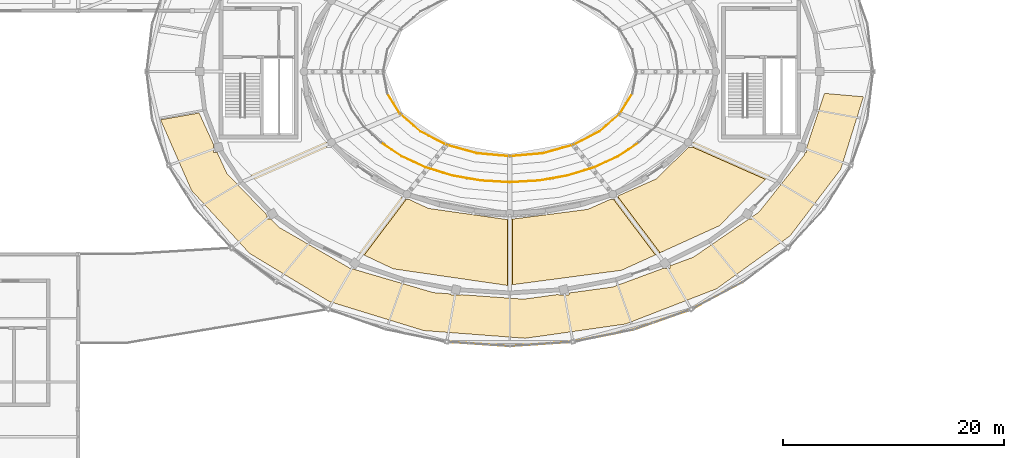
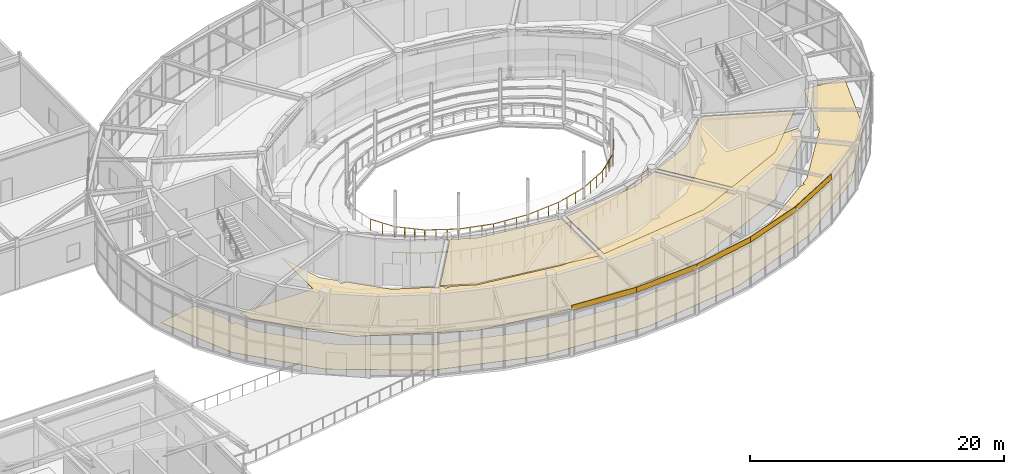
# One storey, part 100 of 108: 20 railings, 10 coverings.
"""IFC4 building model written with IfcOpenShell, lengths in metres."""

from ifc_helpers import new_model, si_unit, direction, frame, frame_2d, origin, origin_2d, place, context, subcontext, project, spatial, polyline, rectangle, circle, outline, extrude, material, layer, layer_set, type_object, element, save


model = new_model("IFC4")

# Units and contexts
model_context = context("Model", 3, precision=1e-05, world=origin(), true_north=direction((0.0, 1.0)))
body_context = subcontext(model_context, "Body", "Model", "MODEL_VIEW")
ifc_project = project(units=[si_unit("LENGTHUNIT", "METRE"), si_unit("AREAUNIT", "SQUARE_METRE"), si_unit("VOLUMEUNIT", "CUBIC_METRE"), si_unit("PLANEANGLEUNIT", "RADIAN"), si_unit("MASSUNIT", "GRAM", prefix="KILO")], contexts=[model_context])

# Site, building, storey
site_placement = place(None, origin())
site = spatial("IfcSite", under=ifc_project, at=site_placement, CompositionType="ELEMENT")
building_placement = place(site_placement, origin())
building = spatial("IfcBuilding", under=site, at=building_placement, Name="Tarnveldt Headland Concert Hall", CompositionType="ELEMENT")
storey_placement = place(building_placement, frame((0.0, 0.0, 9.60009765625)))
storey = spatial("IfcBuildingStorey", under=building, at=storey_placement, Name="L02", CompositionType="ELEMENT", Elevation=9.60009765625)

# Coverings
ifc_material_1 = material(Name="Micro-perforated mvule acoustic ceiling panel", Category="timber")
ifc_layer_1 = layer(ifc_material_1, 0.050048828125, Name="Micro-perforated mvule acoustic ceiling panel", Category="timber")
ifc_layer_set_1 = layer_set([ifc_layer_1], Name="Micro-perforated mvule acoustic ceiling panel")
covering_type_1 = type_object("IfcCoveringType", Name="CV-CEIL50", PredefinedType="CEILING", material=ifc_layer_set_1)
covering_1_placement = place(storey_placement, frame((0.0, 0.0, 4.5)))
element("IfcCovering", 1, at=covering_1_placement, inside=storey, type_object=covering_type_1, Name="Acoustic mvule ceiling L02-09-247", PredefinedType="CEILING", context=body_context, shape_type="SweptSolid", body=[
    extrude(outline(polyline([(76.165283203125, 42.1376953125), (83.27001953125, 41.127685546875), (83.27001953125, 35.18359375), (83.260986328125, 35.182373046875), (72.973388671875, 36.675048828125), (70.344482421875, 37.91748046875), (74.148681640625, 42.96484375), (74.36083984375, 42.96484375), (76.114990234375, 42.152587890625), (76.13134765625, 42.14599609375), (76.148193359375, 42.140869140625), (76.165283203125, 42.1376953125)])), origin(), (0.0, 0.0, 1.0), 0.0498046875),
])
covering_2_placement = place(storey_placement, frame((0.0, 0.0, 4.5)))
element("IfcCovering", 2, at=covering_2_placement, inside=storey, type_object=covering_type_1, Name="Acoustic mvule ceiling L02-09-248", PredefinedType="CEILING", context=body_context, shape_type="SweptSolid", body=[
    extrude(outline(polyline([(90.575439453125, 42.064697265625), (92.5947265625, 42.96484375), (92.851318359375, 42.96484375), (96.640380859375, 37.93798828125), (93.58447265625, 36.54736328125), (83.72998046875, 35.244384765625), (83.72998046875, 41.17041015625), (90.525146484375, 42.050537109375), (90.54248046875, 42.0537109375), (90.55908203125, 42.058349609375), (90.575439453125, 42.064697265625)])), origin(), (0.0, 0.0, 1.0), 0.0498046875),
])
covering_3_placement = place(storey_placement, frame((0.0, 0.0, 4.5)))
element("IfcCovering", 3, at=covering_3_placement, inside=storey, type_object=covering_type_1, Name="Acoustic mvule ceiling L02-09-249", PredefinedType="CEILING", context=body_context, shape_type="SweptSolid", body=[
    extrude(outline(polyline([(96.726318359375, 44.8076171875), (96.739990234375, 44.816162109375), (96.7529296875, 44.82568359375), (96.764892578125, 44.836669921875), (99.620361328125, 47.64990234375), (100.056884765625, 47.64990234375), (106.586669921875, 44.762451171875), (102.412109375, 40.564208984375), (97.069091796875, 38.133056640625), (93.25, 43.2001953125), (93.25, 43.257080078125), (96.7119140625, 44.80029296875), (96.726318359375, 44.8076171875)])), origin(), (0.0, 0.0, 1.0), 0.0498046875),
])
ifc_material_2 = material(Name="Treated East African mvule hardwood", Category="wood")
ifc_layer_2 = layer(ifc_material_2, 0.044921875, Name="Treated East African mvule hardwood", Category="wood")
ifc_layer_set_2 = layer_set([ifc_layer_2], Name="Treated East African mvule hardwood")
covering_type_2 = type_object("IfcCoveringType", Name="CV-CLAD45", PredefinedType="CLADDING", material=ifc_layer_set_2)
for number, where, z_axis, x_axis, name in (
    (4, (77.80419921875, 30.076904296875, 4.27001953125), (0.0, 0.0, 1.0), (0.997817213059, -0.066036424216, 0.0), "Mvule hardwood fascia band L02-27"),
    (5, (83.5, 29.699951171875, 4.27001953125), (0.0, 0.0, 1.0), (0.997817213059, 0.066036424216, 0.0), "Mvule hardwood fascia band L02-28"),
):
    element("IfcCovering", number, at=place(storey_placement, frame(where, z_axis=z_axis, x_axis=x_axis)), inside=storey, type_object=covering_type_2, Name=name, PredefinedType="CLADDING", context=body_context, shape_type="SweptSolid", body=[
        extrude(rectangle(XDim=5.708251953125, YDim=0.044921875, at=frame_2d((2.85400390625, 0.0))), origin(), (0.0, 0.0, 1.0), 0.519775390625),
    ])
covering_4_placement = place(storey_placement, frame((89.19580078125, 30.076904296875, 4.27001953125), z_axis=(0.0, 0.0, 1.0), x_axis=(0.980094417088, 0.198531946026, 0.0)))
element("IfcCovering", 6, at=covering_4_placement, inside=storey, type_object=covering_type_2, Name="Mvule hardwood fascia band L02-29", PredefinedType="CLADDING", context=body_context, shape_type="SweptSolid", body=[
    extrude(rectangle(XDim=5.634521484375, YDim=0.044921875, at=frame_2d((2.8173828125, 0.0))), origin(), (0.0, 0.0, 1.0), 0.519775390625),
])
covering_5_placement = place(storey_placement, frame((94.71826171875, 31.195556640625, 4.27001953125), z_axis=(0.0, 0.0, 1.0), x_axis=(0.943085453999, 0.332550487077, 0.0)))
element("IfcCovering", 7, at=covering_5_placement, inside=storey, type_object=covering_type_2, Name="Mvule hardwood fascia band L02-30", PredefinedType="CLADDING", context=body_context, shape_type="SweptSolid", body=[
    extrude(rectangle(XDim=5.494384765625, YDim=0.044921875, at=frame_2d((2.7470703125, 0.0))), origin(), (0.0, 0.0, 1.0), 0.519775390625),
])
covering_6_placement = place(storey_placement, frame((99.89990234375, 33.022705078125, 4.27001953125), z_axis=(0.0, 0.0, 1.0), x_axis=(0.88379239872, 0.467879253617, 0.0)))
element("IfcCovering", 8, at=covering_6_placement, inside=storey, type_object=covering_type_2, Name="Mvule hardwood fascia band L02-31", PredefinedType="CLADDING", context=body_context, shape_type="SweptSolid", body=[
    extrude(rectangle(XDim=5.29931640625, YDim=0.044921875, at=frame_2d((2.649658203125, 0.0))), origin(), (0.0, 0.0, 1.0), 0.519775390625),
])
ifc_material_3 = material(Name="Polished coral-aggregate cementitious terrazzo flooring", Category="concrete")
ifc_layer_3 = layer(ifc_material_3, 0.034912109375, Name="Polished coral-aggregate cementitious terrazzo flooring", Category="concrete")
ifc_layer_set_3 = layer_set([ifc_layer_3], Name="Polished coral-aggregate cementitious terrazzo flooring")
covering_type_3 = type_object("IfcCoveringType", Name="CV-FLOR35", PredefinedType="FLOORING", material=ifc_layer_set_3)
covering_7_placement = place(storey_placement, origin())
element("IfcCovering", 9, at=covering_7_placement, inside=storey, type_object=covering_type_3, Name="Architectural flooring L02-09-68", PredefinedType="FLOORING", context=body_context, shape_type="SweptSolid", body=[
    extrude(outline(polyline([(65.886474609375, 49.202880859375), (65.89794921875, 49.190185546875), (66.94189453125, 48.122314453125), (66.94189453125, 47.64990234375), (67.40380859375, 47.64990234375), (69.9951171875, 44.999755859375), (70.0068359375, 44.988525390625), (70.019775390625, 44.978515625), (70.03369140625, 44.9697265625), (70.048095703125, 44.96240234375), (73.75, 43.247802734375), (73.75, 42.96484375), (74.36083984375, 42.96484375), (76.114990234375, 42.152587890625), (76.13134765625, 42.14599609375), (76.148193359375, 42.140869140625), (76.165283203125, 42.1376953125), (83.308837890625, 41.122314453125), (83.324951171875, 41.12060546875), (83.34130859375, 41.12060546875), (83.357421875, 41.1220703125), (90.525146484375, 42.050537109375), (90.54248046875, 42.0537109375), (90.55908203125, 42.058349609375), (90.575439453125, 42.064697265625), (92.5947265625, 42.96484375), (93.25, 42.96484375), (93.25, 43.257080078125), (96.7119140625, 44.80029296875), (96.726318359375, 44.8076171875), (96.739990234375, 44.816162109375), (96.7529296875, 44.82568359375), (96.764892578125, 44.836669921875), (99.620361328125, 47.64990234375), (100.05810546875, 47.64990234375), (100.05810546875, 48.081298828125), (100.966796875, 48.9765625), (100.978271484375, 48.989013671875), (100.988525390625, 49.00244140625), (100.99755859375, 49.016845703125), (101.005126953125, 49.031982421875), (101.01123046875, 49.0478515625), (102.320068359375, 52.966796875), (102.320068359375, 48.300048828125), (102.32080078125, 48.282470703125), (102.323486328125, 48.264892578125), (102.327880859375, 48.247802734375), (102.333740234375, 48.231201171875), (102.34130859375, 48.215087890625), (102.350341796875, 48.199951171875), (102.36083984375, 48.185791015625), (102.372802734375, 48.172607421875), (102.3857421875, 48.160888671875), (102.39990234375, 48.150390625), (102.4150390625, 48.141357421875), (102.43115234375, 48.1337890625), (102.44775390625, 48.127685546875), (102.46484375, 48.12353515625), (102.482421875, 48.120849609375), (102.5, 48.1201171875), (108.928955078125, 48.1201171875), (108.440185546875, 46.62646484375), (102.412109375, 40.564208984375), (93.58447265625, 36.54736328125), (83.260986328125, 35.182373046875), (72.973388671875, 36.675048828125), (64.24658203125, 40.7998046875), (58.369384765625, 46.934814453125), (58.01220703125, 48.1201171875), (64.5, 48.1201171875), (64.517578125, 48.120849609375), (64.53515625, 48.12353515625), (64.55224609375, 48.127685546875), (64.56884765625, 48.1337890625), (64.5849609375, 48.141357421875), (64.60009765625, 48.150390625), (64.6142578125, 48.160888671875), (64.627197265625, 48.172607421875), (64.63916015625, 48.185791015625), (64.649658203125, 48.199951171875), (64.65869140625, 48.215087890625), (64.666259765625, 48.231201171875), (64.672119140625, 48.247802734375), (64.676513671875, 48.264892578125), (64.67919921875, 48.282470703125), (64.679931640625, 48.300048828125), (64.679931640625, 53.08154296875), (65.8544921875, 49.262939453125), (65.8603515625, 49.246826171875), (65.86767578125, 49.2314453125), (65.87646484375, 49.216796875), (65.886474609375, 49.202880859375)])), origin(), (0.0, 0.0, 1.0), 0.034912109375),
])
covering_8_placement = place(storey_placement, origin())
element("IfcCovering", 10, at=covering_8_placement, inside=storey, type_object=covering_type_3, Name="Architectural flooring L02-11-70", PredefinedType="FLOORING", context=body_context, shape_type="SweptSolid", body=[
    extrude(outline(polyline([(61.57568359375, 41.522705078125), (61.57568359375, 41.169189453125), (61.917236328125, 41.169189453125), (62.60009765625, 40.462158203125), (62.6123046875, 40.45068359375), (62.62548828125, 40.440185546875), (62.6396484375, 40.431396484375), (68.99609375, 36.766845703125), (69.01513671875, 36.75732421875), (69.02490234375, 36.75390625), (69.02490234375, 36.70458984375), (69.190185546875, 36.70458984375), (76.57861328125, 34.533203125), (76.597412109375, 34.52880859375), (76.616455078125, 34.526611328125), (78.162841796875, 34.41455078125), (78.162841796875, 34.328857421875), (79.11279296875, 34.328857421875), (79.11279296875, 34.345947265625), (84.725830078125, 33.93994140625), (84.744384765625, 33.939453125), (84.76318359375, 33.941162109375), (87.88720703125, 34.3671875), (87.88720703125, 34.328857421875), (88.837158203125, 34.328857421875), (88.837158203125, 34.49658203125), (92.7705078125, 35.033203125), (92.789794921875, 35.036865234375), (92.80859375, 35.04248046875), (97.30078125, 36.70458984375), (97.97509765625, 36.70458984375), (97.97509765625, 36.953857421875), (100.054443359375, 37.72314453125), (100.068115234375, 37.72900390625), (100.081298828125, 37.73583984375), (100.093994140625, 37.74365234375), (105.075439453125, 41.169189453125), (105.42431640625, 41.169189453125), (105.42431640625, 41.408935546875), (105.9814453125, 41.792236328125), (105.99560546875, 41.802978515625), (106.008544921875, 41.815185546875), (106.0205078125, 41.828369140625), (110.064697265625, 46.911376953125), (110.07421875, 46.92431640625), (110.082275390625, 46.93798828125), (110.08935546875, 46.952392578125), (110.094970703125, 46.96728515625), (110.166259765625, 47.1845703125), (110.286376953125, 47.1845703125), (110.286376953125, 47.551513671875), (111.91845703125, 52.5302734375), (115.4384765625, 52.222412109375), (113.39013671875, 45.677734375), (108.82568359375, 39.669677734375), (102.170166015625, 34.87646484375), (93.97021484375, 31.69921875), (84.90283203125, 30.404052734375), (75.719482421875, 31.099853515625), (67.1806640625, 33.727783203125), (59.9921875, 38.068359375), (54.746337890625, 43.75732421875), (51.947509765625, 50.142822265625), (55.42578125, 50.756103515625), (56.713623046875, 47.951171875), (56.713623046875, 47.1845703125), (57.0654296875, 47.1845703125), (57.92041015625, 45.322509765625), (57.9296875, 45.3046875), (57.941162109375, 45.287841796875), (57.954345703125, 45.272705078125), (61.57568359375, 41.522705078125)])), origin(), (0.0, 0.0, 1.0), 0.034912109375),
])

# Railings
ifc_material_4 = material(Name="Marine stainless steel", Category="steel")
ifc_layer_4 = layer(ifc_material_4, 0.06005859375, Name="Marine stainless steel", Category="steel")
ifc_layer_set_4 = layer_set([ifc_layer_4], Name="Marine stainless steel")
railing_type = type_object("IfcRailingType", Name="RL-GRD110", PredefinedType="GUARDRAIL", material=ifc_layer_set_4)
railing_1_placement = place(storey_placement, frame((72.440185546875, 52.52001953125, 0.27978515625)))
element("IfcRailing", 11, at=railing_1_placement, inside=storey, type_object=railing_type, Name="GUARD Symphony tier sightline guardrail L02 14", PredefinedType="GUARDRAIL", context=body_context, shape_type="SweptSolid", body=[
    extrude(circle(Radius=0.02392578125, at=origin_2d()), frame((0.0, 0.0, 1.076171875), z_axis=(0.526912047172, -0.849919816538, 0.0), x_axis=(0.849919816538, 0.526912047172, 0.0)), (0.0, 0.0, 1.0), 2.170654296875),
    extrude(circle(Radius=0.02099609375, at=origin_2d()), origin(), (0.0, 0.0, 1.0), 1.052001953125),
    extrude(circle(Radius=0.02099609375, at=origin_2d()), frame((0.57177734375, -0.92236328125, 0.0)), (0.0, 0.0, 1.0), 1.052001953125),
    extrude(circle(Radius=0.02099609375, at=origin_2d()), frame((1.143798828125, -1.844970703125, 0.0)), (0.0, 0.0, 1.0), 1.052001953125),
])
railing_2_placement = place(storey_placement, frame((73.583984375, 50.675048828125, 0.27978515625)))
element("IfcRailing", 12, at=railing_2_placement, inside=storey, type_object=railing_type, Name="GUARD Symphony tier sightline guardrail L02 15", PredefinedType="GUARDRAIL", context=body_context, shape_type="SweptSolid", body=[
    extrude(circle(Radius=0.02392578125, at=origin_2d()), frame((0.0, 0.0, 1.076171875), z_axis=(0.754147872627, -0.656704641534, 0.0), x_axis=(0.656704641534, 0.754147872627, 0.0)), (0.0, 0.0, 1.0), 2.412841796875),
    extrude(circle(Radius=0.02099609375, at=origin_2d()), origin(), (0.0, 0.0, 1.0), 1.052001953125),
    extrude(circle(Radius=0.02099609375, at=origin_2d()), frame((0.6064453125, -0.528076171875, 0.0)), (0.0, 0.0, 1.0), 1.052001953125),
    extrude(circle(Radius=0.02099609375, at=origin_2d()), frame((1.213134765625, -1.056396484375, 0.0)), (0.0, 0.0, 1.0), 1.052001953125),
    extrude(circle(Radius=0.02099609375, at=origin_2d()), frame((1.819580078125, -1.58447265625, 0.0)), (0.0, 0.0, 1.0), 1.052001953125),
])
railing_3_placement = place(storey_placement, frame((75.403564453125, 49.090576171875, 0.27978515625)))
element("IfcRailing", 13, at=railing_3_placement, inside=storey, type_object=railing_type, Name="GUARD Symphony tier sightline guardrail L02 16", PredefinedType="GUARDRAIL", context=body_context, shape_type="SweptSolid", body=[
    extrude(circle(Radius=0.02392578125, at=origin_2d()), frame((0.0, 0.0, 1.076171875), z_axis=(0.889892806019, -0.456169698463, 0.0), x_axis=(0.456169698463, 0.889892806019, 0.0)), (0.0, 0.0, 1.0), 2.664794921875),
    extrude(circle(Radius=0.02099609375, at=origin_2d()), origin(), (0.0, 0.0, 1.0), 1.052001953125),
    extrude(circle(Radius=0.02099609375, at=origin_2d()), frame((0.79052734375, -0.4052734375, 0.0)), (0.0, 0.0, 1.0), 1.052001953125),
    extrude(circle(Radius=0.02099609375, at=origin_2d()), frame((1.580810546875, -0.810302734375, 0.0)), (0.0, 0.0, 1.0), 1.052001953125),
    extrude(circle(Radius=0.02099609375, at=origin_2d()), frame((2.371337890625, -1.215576171875, 0.0)), (0.0, 0.0, 1.0), 1.052001953125),
])
railing_4_placement = place(storey_placement, frame((77.77490234375, 47.875, 0.27978515625)))
element("IfcRailing", 14, at=railing_4_placement, inside=storey, type_object=railing_type, Name="GUARD Symphony tier sightline guardrail L02 17", PredefinedType="GUARDRAIL", context=body_context, shape_type="SweptSolid", body=[
    extrude(circle(Radius=0.02392578125, at=origin_2d()), frame((0.0, 0.0, 1.076171875), z_axis=(0.963764063419, -0.266756124696, 0.0), x_axis=(0.266756124696, 0.963764063419, 0.0)), (0.0, 0.0, 1.0), 2.865478515625),
    extrude(circle(Radius=0.02099609375, at=origin_2d()), origin(), (0.0, 0.0, 1.0), 1.052001953125),
    extrude(circle(Radius=0.02099609375, at=origin_2d()), frame((0.920654296875, -0.2548828125, 0.0)), (0.0, 0.0, 1.0), 1.052001953125),
    extrude(circle(Radius=0.02099609375, at=origin_2d()), frame((1.841064453125, -0.509521484375, 0.0)), (0.0, 0.0, 1.0), 1.052001953125),
    extrude(circle(Radius=0.02099609375, at=origin_2d()), frame((2.76171875, -0.764404296875, 0.0)), (0.0, 0.0, 1.0), 1.052001953125),
])
railing_5_placement = place(storey_placement, frame((80.53662109375, 47.110595703125, 0.27978515625)))
element("IfcRailing", 15, at=railing_5_placement, inside=storey, type_object=railing_type, Name="GUARD Symphony tier sightline guardrail L02 18", PredefinedType="GUARDRAIL", context=body_context, shape_type="SweptSolid", body=[
    extrude(circle(Radius=0.02392578125, at=origin_2d()), frame((0.0, 0.0, 1.076171875), z_axis=(0.996158538672, -0.087568063994, 0.0), x_axis=(0.087568063994, 0.996158538672, 0.0)), (0.0, 0.0, 1.0), 2.974853515625),
    extrude(circle(Radius=0.02099609375, at=origin_2d()), origin(), (0.0, 0.0, 1.0), 1.052001953125),
    extrude(circle(Radius=0.02099609375, at=origin_2d()), frame((0.98779296875, -0.0869140625, 0.0)), (0.0, 0.0, 1.0), 1.052001953125),
    extrude(circle(Radius=0.02099609375, at=origin_2d()), frame((1.9755859375, -0.173583984375, 0.0)), (0.0, 0.0, 1.0), 1.052001953125),
    extrude(circle(Radius=0.02099609375, at=origin_2d()), frame((2.96337890625, -0.260498046875, 0.0)), (0.0, 0.0, 1.0), 1.052001953125),
])
railing_6_placement = place(storey_placement, frame((83.5, 46.85009765625, 0.27978515625)))
element("IfcRailing", 16, at=railing_6_placement, inside=storey, type_object=railing_type, Name="GUARD Symphony tier sightline guardrail L02 19", PredefinedType="GUARDRAIL", context=body_context, shape_type="SweptSolid", body=[
    extrude(circle(Radius=0.02392578125, at=origin_2d()), frame((0.0, 0.0, 1.076171875), z_axis=(0.996158538672, 0.087568063994, 0.0), x_axis=(-0.087568063994, 0.996158538672, 0.0)), (0.0, 0.0, 1.0), 2.974853515625),
    extrude(circle(Radius=0.02099609375, at=origin_2d()), origin(), (0.0, 0.0, 1.0), 1.052001953125),
    extrude(circle(Radius=0.02099609375, at=origin_2d()), frame((0.98779296875, 0.0869140625, 0.0)), (0.0, 0.0, 1.0), 1.052001953125),
    extrude(circle(Radius=0.02099609375, at=origin_2d()), frame((1.9755859375, 0.173583984375, 0.0)), (0.0, 0.0, 1.0), 1.052001953125),
    extrude(circle(Radius=0.02099609375, at=origin_2d()), frame((2.96337890625, 0.260498046875, 0.0)), (0.0, 0.0, 1.0), 1.052001953125),
])
railing_7_placement = place(storey_placement, frame((86.46337890625, 47.110595703125, 0.27978515625)))
element("IfcRailing", 17, at=railing_7_placement, inside=storey, type_object=railing_type, Name="GUARD Symphony tier sightline guardrail L02 20", PredefinedType="GUARDRAIL", context=body_context, shape_type="SweptSolid", body=[
    extrude(circle(Radius=0.02392578125, at=origin_2d()), frame((0.0, 0.0, 1.076171875), z_axis=(0.963764063419, 0.266756124696, 0.0), x_axis=(-0.266756124696, 0.963764063419, 0.0)), (0.0, 0.0, 1.0), 2.865478515625),
    extrude(circle(Radius=0.02099609375, at=origin_2d()), origin(), (0.0, 0.0, 1.0), 1.052001953125),
    extrude(circle(Radius=0.02099609375, at=origin_2d()), frame((0.920654296875, 0.2548828125, 0.0)), (0.0, 0.0, 1.0), 1.052001953125),
    extrude(circle(Radius=0.02099609375, at=origin_2d()), frame((1.841064453125, 0.509521484375, 0.0)), (0.0, 0.0, 1.0), 1.052001953125),
    extrude(circle(Radius=0.02099609375, at=origin_2d()), frame((2.76171875, 0.764404296875, 0.0)), (0.0, 0.0, 1.0), 1.052001953125),
])
railing_8_placement = place(storey_placement, frame((89.22509765625, 47.875, 0.27978515625)))
element("IfcRailing", 18, at=railing_8_placement, inside=storey, type_object=railing_type, Name="GUARD Symphony tier sightline guardrail L02 21", PredefinedType="GUARDRAIL", context=body_context, shape_type="SweptSolid", body=[
    extrude(circle(Radius=0.02392578125, at=origin_2d()), frame((0.0, 0.0, 1.076171875), z_axis=(0.889892806019, 0.456169698463, 0.0), x_axis=(-0.456169698463, 0.889892806019, 0.0)), (0.0, 0.0, 1.0), 2.664794921875),
    extrude(circle(Radius=0.02099609375, at=origin_2d()), origin(), (0.0, 0.0, 1.0), 1.052001953125),
    extrude(circle(Radius=0.02099609375, at=origin_2d()), frame((0.79052734375, 0.4052734375, 0.0)), (0.0, 0.0, 1.0), 1.052001953125),
    extrude(circle(Radius=0.02099609375, at=origin_2d()), frame((1.580810546875, 0.810302734375, 0.0)), (0.0, 0.0, 1.0), 1.052001953125),
    extrude(circle(Radius=0.02099609375, at=origin_2d()), frame((2.371337890625, 1.215576171875, 0.0)), (0.0, 0.0, 1.0), 1.052001953125),
])
railing_9_placement = place(storey_placement, frame((91.596435546875, 49.090576171875, 0.27978515625)))
element("IfcRailing", 19, at=railing_9_placement, inside=storey, type_object=railing_type, Name="GUARD Symphony tier sightline guardrail L02 22", PredefinedType="GUARDRAIL", context=body_context, shape_type="SweptSolid", body=[
    extrude(circle(Radius=0.02392578125, at=origin_2d()), frame((0.0, 0.0, 1.076171875), z_axis=(0.754147872627, 0.656704641534, 0.0), x_axis=(-0.656704641534, 0.754147872627, 0.0)), (0.0, 0.0, 1.0), 2.412841796875),
    extrude(circle(Radius=0.02099609375, at=origin_2d()), origin(), (0.0, 0.0, 1.0), 1.052001953125),
    extrude(circle(Radius=0.02099609375, at=origin_2d()), frame((0.6064453125, 0.528076171875, 0.0)), (0.0, 0.0, 1.0), 1.052001953125),
    extrude(circle(Radius=0.02099609375, at=origin_2d()), frame((1.213134765625, 1.056396484375, 0.0)), (0.0, 0.0, 1.0), 1.052001953125),
    extrude(circle(Radius=0.02099609375, at=origin_2d()), frame((1.819580078125, 1.58447265625, 0.0)), (0.0, 0.0, 1.0), 1.052001953125),
])
railing_10_placement = place(storey_placement, frame((93.416015625, 50.675048828125, 0.27978515625)))
element("IfcRailing", 20, at=railing_10_placement, inside=storey, type_object=railing_type, Name="GUARD Symphony tier sightline guardrail L02 23", PredefinedType="GUARDRAIL", context=body_context, shape_type="SweptSolid", body=[
    extrude(circle(Radius=0.02392578125, at=origin_2d()), frame((0.0, 0.0, 1.076171875), z_axis=(0.526912047172, 0.849919816538, 0.0), x_axis=(-0.849919816538, 0.526912047172, 0.0)), (0.0, 0.0, 1.0), 2.170654296875),
    extrude(circle(Radius=0.02099609375, at=origin_2d()), origin(), (0.0, 0.0, 1.0), 1.052001953125),
    extrude(circle(Radius=0.02099609375, at=origin_2d()), frame((0.57177734375, 0.92236328125, 0.0)), (0.0, 0.0, 1.0), 1.052001953125),
    extrude(circle(Radius=0.02099609375, at=origin_2d()), frame((1.143798828125, 1.844970703125, 0.0)), (0.0, 0.0, 1.0), 1.052001953125),
])
railing_11_placement = place(storey_placement, frame((71.856201171875, 48.072021484375, 0.0)))
element("IfcRailing", 21, at=railing_11_placement, inside=storey, type_object=railing_type, Name="GUARD Auditorium void guardrail L02 23", PredefinedType="GUARDRAIL", context=body_context, shape_type="SweptSolid", body=[
    extrude(circle(Radius=0.02392578125, at=origin_2d()), frame((0.0, 0.0, 1.076171875), z_axis=(0.835418397825, -0.549614501788, 0.0), x_axis=(0.549614501788, 0.835418397825, 0.0)), (0.0, 0.0, 1.0), 2.242431640625),
    extrude(circle(Radius=0.02099609375, at=origin_2d()), origin(), (0.0, 0.0, 1.0), 1.052001953125),
    extrude(circle(Radius=0.02099609375, at=origin_2d()), frame((0.9365234375, -0.6162109375, 0.0)), (0.0, 0.0, 1.0), 1.052001953125),
    extrude(circle(Radius=0.02099609375, at=origin_2d()), frame((1.873291015625, -1.232421875, 0.0)), (0.0, 0.0, 1.0), 1.052001953125),
])
railing_12_placement = place(storey_placement, frame((73.7294921875, 46.839599609375, 0.0)))
element("IfcRailing", 22, at=railing_12_placement, inside=storey, type_object=railing_type, Name="GUARD Auditorium void guardrail L02 24", PredefinedType="GUARDRAIL", context=body_context, shape_type="SweptSolid", body=[
    extrude(circle(Radius=0.02392578125, at=origin_2d()), frame((0.0, 0.0, 1.076171875), z_axis=(0.908234283008, -0.418462049854, 0.0), x_axis=(0.418462049854, 0.908234283008, 0.0)), (0.0, 0.0, 1.0), 2.3896484375),
    extrude(circle(Radius=0.02099609375, at=origin_2d()), origin(), (0.0, 0.0, 1.0), 1.052001953125),
    extrude(circle(Radius=0.02099609375, at=origin_2d()), frame((1.085205078125, -0.5, 0.0)), (0.0, 0.0, 1.0), 1.052001953125),
    extrude(circle(Radius=0.02099609375, at=origin_2d()), frame((2.17041015625, -1.0, 0.0)), (0.0, 0.0, 1.0), 1.052001953125),
])
railing_13_placement = place(storey_placement, frame((75.89990234375, 45.839599609375, 0.0)))
element("IfcRailing", 23, at=railing_13_placement, inside=storey, type_object=railing_type, Name="GUARD Auditorium void guardrail L02 25", PredefinedType="GUARDRAIL", context=body_context, shape_type="SweptSolid", body=[
    extrude(circle(Radius=0.02392578125, at=origin_2d()), frame((0.0, 0.0, 1.076171875), z_axis=(0.956037133001, -0.293245631381, 0.0), x_axis=(0.293245631381, 0.956037133001, 0.0)), (0.0, 0.0, 1.0), 2.51171875),
    extrude(circle(Radius=0.02099609375, at=origin_2d()), origin(), (0.0, 0.0, 1.0), 1.052001953125),
    extrude(circle(Radius=0.02099609375, at=origin_2d()), frame((0.800537109375, -0.24560546875, 0.0)), (0.0, 0.0, 1.0), 1.052001953125),
    extrude(circle(Radius=0.02099609375, at=origin_2d()), frame((1.600830078125, -0.490966796875, 0.0)), (0.0, 0.0, 1.0), 1.052001953125),
    extrude(circle(Radius=0.02099609375, at=origin_2d()), frame((2.4013671875, -0.736572265625, 0.0)), (0.0, 0.0, 1.0), 1.052001953125),
])
railing_14_placement = place(storey_placement, frame((78.30126953125, 45.10302734375, 0.0)))
element("IfcRailing", 24, at=railing_14_placement, inside=storey, type_object=railing_type, Name="GUARD Auditorium void guardrail L02 26", PredefinedType="GUARDRAIL", context=body_context, shape_type="SweptSolid", body=[
    extrude(circle(Radius=0.02392578125, at=origin_2d()), frame((0.0, 0.0, 1.076171875), z_axis=(0.984814752515, -0.173608476834, 0.0), x_axis=(0.173608476834, 0.984814752515, 0.0)), (0.0, 0.0, 1.0), 2.598876953125),
    extrude(circle(Radius=0.02099609375, at=origin_2d()), origin(), (0.0, 0.0, 1.0), 1.052001953125),
    extrude(circle(Radius=0.02099609375, at=origin_2d()), frame((0.85302734375, -0.150390625, 0.0)), (0.0, 0.0, 1.0), 1.052001953125),
    extrude(circle(Radius=0.02099609375, at=origin_2d()), frame((1.706298828125, -0.30078125, 0.0)), (0.0, 0.0, 1.0), 1.052001953125),
    extrude(circle(Radius=0.02099609375, at=origin_2d()), frame((2.559326171875, -0.451171875, 0.0)), (0.0, 0.0, 1.0), 1.052001953125),
])
railing_15_placement = place(storey_placement, frame((80.860595703125, 44.65185546875, 0.0)))
element("IfcRailing", 25, at=railing_15_placement, inside=storey, type_object=railing_type, Name="GUARD Auditorium void guardrail L02 27", PredefinedType="GUARDRAIL", context=body_context, shape_type="SweptSolid", body=[
    extrude(circle(Radius=0.02392578125, at=origin_2d()), frame((0.0, 0.0, 1.076171875), z_axis=(0.99834901745, -0.057439005536, 0.0), x_axis=(0.057439005536, 0.99834901745, 0.0)), (0.0, 0.0, 1.0), 2.643798828125),
    extrude(circle(Radius=0.02099609375, at=origin_2d()), origin(), (0.0, 0.0, 1.0), 1.052001953125),
    extrude(circle(Radius=0.02099609375, at=origin_2d()), frame((0.8798828125, -0.050537109375, 0.0)), (0.0, 0.0, 1.0), 1.052001953125),
    extrude(circle(Radius=0.02099609375, at=origin_2d()), frame((1.759521484375, -0.101318359375, 0.0)), (0.0, 0.0, 1.0), 1.052001953125),
    extrude(circle(Radius=0.02099609375, at=origin_2d()), frame((2.639404296875, -0.15185546875, 0.0)), (0.0, 0.0, 1.0), 1.052001953125),
])
railing_16_placement = place(storey_placement, frame((83.5, 44.5, 0.0)))
element("IfcRailing", 26, at=railing_16_placement, inside=storey, type_object=railing_type, Name="GUARD Auditorium void guardrail L02 28", PredefinedType="GUARDRAIL", context=body_context, shape_type="SweptSolid", body=[
    extrude(circle(Radius=0.02392578125, at=origin_2d()), frame((0.0, 0.0, 1.076171875), z_axis=(0.99834901745, 0.057439005536, 0.0), x_axis=(-0.057439005536, 0.99834901745, 0.0)), (0.0, 0.0, 1.0), 2.643798828125),
    extrude(circle(Radius=0.02099609375, at=origin_2d()), origin(), (0.0, 0.0, 1.0), 1.052001953125),
    extrude(circle(Radius=0.02099609375, at=origin_2d()), frame((0.8798828125, 0.050537109375, 0.0)), (0.0, 0.0, 1.0), 1.052001953125),
    extrude(circle(Radius=0.02099609375, at=origin_2d()), frame((1.759521484375, 0.101318359375, 0.0)), (0.0, 0.0, 1.0), 1.052001953125),
    extrude(circle(Radius=0.02099609375, at=origin_2d()), frame((2.639404296875, 0.15185546875, 0.0)), (0.0, 0.0, 1.0), 1.052001953125),
])
railing_17_placement = place(storey_placement, frame((86.139404296875, 44.65185546875, 0.0)))
element("IfcRailing", 27, at=railing_17_placement, inside=storey, type_object=railing_type, Name="GUARD Auditorium void guardrail L02 29", PredefinedType="GUARDRAIL", context=body_context, shape_type="SweptSolid", body=[
    extrude(circle(Radius=0.02392578125, at=origin_2d()), frame((0.0, 0.0, 1.076171875), z_axis=(0.984814752515, 0.173608476834, 0.0), x_axis=(-0.173608476834, 0.984814752515, 0.0)), (0.0, 0.0, 1.0), 2.598876953125),
    extrude(circle(Radius=0.02099609375, at=origin_2d()), origin(), (0.0, 0.0, 1.0), 1.052001953125),
    extrude(circle(Radius=0.02099609375, at=origin_2d()), frame((0.85302734375, 0.150390625, 0.0)), (0.0, 0.0, 1.0), 1.052001953125),
    extrude(circle(Radius=0.02099609375, at=origin_2d()), frame((1.706298828125, 0.30078125, 0.0)), (0.0, 0.0, 1.0), 1.052001953125),
    extrude(circle(Radius=0.02099609375, at=origin_2d()), frame((2.559326171875, 0.451171875, 0.0)), (0.0, 0.0, 1.0), 1.052001953125),
])
railing_18_placement = place(storey_placement, frame((88.69873046875, 45.10302734375, 0.0)))
element("IfcRailing", 28, at=railing_18_placement, inside=storey, type_object=railing_type, Name="GUARD Auditorium void guardrail L02 30", PredefinedType="GUARDRAIL", context=body_context, shape_type="SweptSolid", body=[
    extrude(circle(Radius=0.02392578125, at=origin_2d()), frame((0.0, 0.0, 1.076171875), z_axis=(0.956037133001, 0.293245631381, 0.0), x_axis=(-0.293245631381, 0.956037133001, 0.0)), (0.0, 0.0, 1.0), 2.51171875),
    extrude(circle(Radius=0.02099609375, at=origin_2d()), origin(), (0.0, 0.0, 1.0), 1.052001953125),
    extrude(circle(Radius=0.02099609375, at=origin_2d()), frame((0.800537109375, 0.24560546875, 0.0)), (0.0, 0.0, 1.0), 1.052001953125),
    extrude(circle(Radius=0.02099609375, at=origin_2d()), frame((1.600830078125, 0.490966796875, 0.0)), (0.0, 0.0, 1.0), 1.052001953125),
    extrude(circle(Radius=0.02099609375, at=origin_2d()), frame((2.4013671875, 0.736572265625, 0.0)), (0.0, 0.0, 1.0), 1.052001953125),
])
railing_19_placement = place(storey_placement, frame((91.10009765625, 45.839599609375, 0.0)))
element("IfcRailing", 29, at=railing_19_placement, inside=storey, type_object=railing_type, Name="GUARD Auditorium void guardrail L02 31", PredefinedType="GUARDRAIL", context=body_context, shape_type="SweptSolid", body=[
    extrude(circle(Radius=0.02392578125, at=origin_2d()), frame((0.0, 0.0, 1.076171875), z_axis=(0.908234283008, 0.418462049854, 0.0), x_axis=(-0.418462049854, 0.908234283008, 0.0)), (0.0, 0.0, 1.0), 2.3896484375),
    extrude(circle(Radius=0.02099609375, at=origin_2d()), origin(), (0.0, 0.0, 1.0), 1.052001953125),
    extrude(circle(Radius=0.02099609375, at=origin_2d()), frame((1.085205078125, 0.5, 0.0)), (0.0, 0.0, 1.0), 1.052001953125),
    extrude(circle(Radius=0.02099609375, at=origin_2d()), frame((2.17041015625, 1.0, 0.0)), (0.0, 0.0, 1.0), 1.052001953125),
])
railing_20_placement = place(storey_placement, frame((93.2705078125, 46.839599609375, 0.0)))
element("IfcRailing", 30, at=railing_20_placement, inside=storey, type_object=railing_type, Name="GUARD Auditorium void guardrail L02 32", PredefinedType="GUARDRAIL", context=body_context, shape_type="SweptSolid", body=[
    extrude(circle(Radius=0.02392578125, at=origin_2d()), frame((0.0, 0.0, 1.076171875), z_axis=(0.835418397825, 0.549614501788, 0.0), x_axis=(-0.549614501788, 0.835418397825, 0.0)), (0.0, 0.0, 1.0), 2.242431640625),
    extrude(circle(Radius=0.02099609375, at=origin_2d()), origin(), (0.0, 0.0, 1.0), 1.052001953125),
    extrude(circle(Radius=0.02099609375, at=origin_2d()), frame((0.9365234375, 0.6162109375, 0.0)), (0.0, 0.0, 1.0), 1.052001953125),
    extrude(circle(Radius=0.02099609375, at=origin_2d()), frame((1.873291015625, 1.232421875, 0.0)), (0.0, 0.0, 1.0), 1.052001953125),
])

save(model, "model.ifc")
